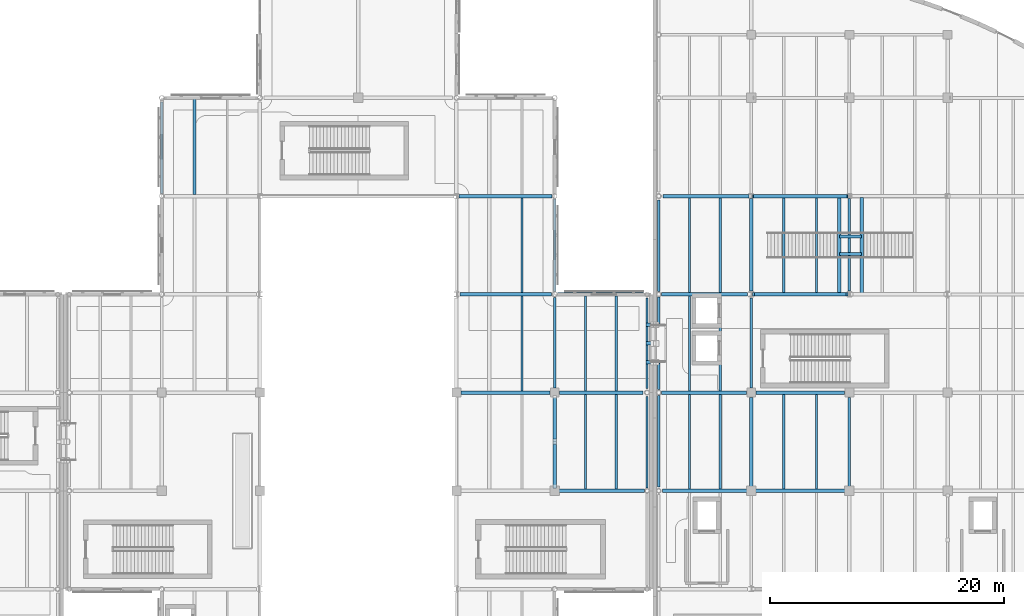
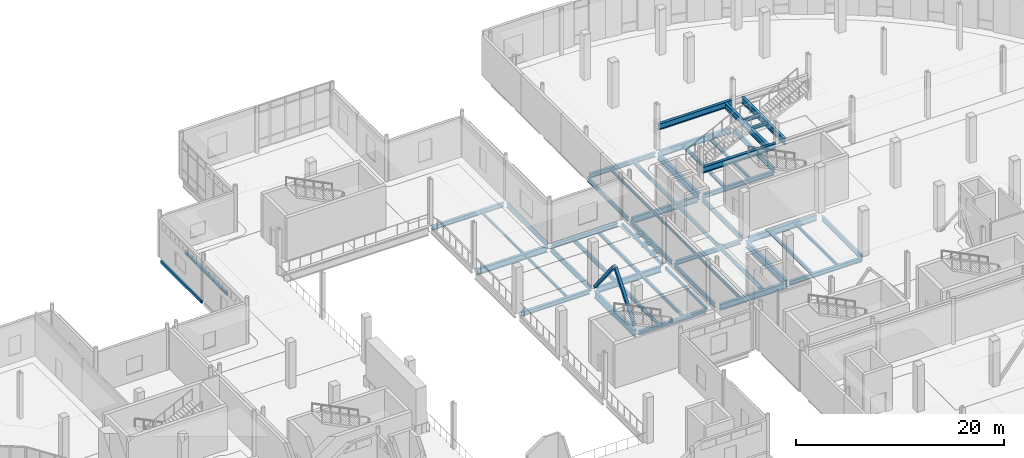
# One storey, part 28 of 110: 54 beams, 2 members.
"""IFC4 building model written with IfcOpenShell, lengths in metres."""

from ifc_helpers import new_model, si_unit, direction, frame, origin, origin_2d, place, context, subcontext, project, spatial, hollow_rectangle, i_section, extrude, material, material_profile, profile_set, type_object, element, save


model = new_model("IFC4")

# Units and contexts
model_context = context("Model", 3, precision=1e-05, world=origin(), true_north=direction((0.0, 1.0)))
body_context = subcontext(model_context, "Body", "Model", "MODEL_VIEW")
ifc_project = project(units=[si_unit("LENGTHUNIT", "METRE"), si_unit("AREAUNIT", "SQUARE_METRE"), si_unit("VOLUMEUNIT", "CUBIC_METRE"), si_unit("PLANEANGLEUNIT", "RADIAN"), si_unit("MASSUNIT", "GRAM", prefix="KILO"), si_unit("THERMODYNAMICTEMPERATUREUNIT", "KELVIN")], contexts=[model_context])

# Site, building, storey
site_placement = place(None, origin())
site = spatial("IfcSite", under=ifc_project, at=site_placement, CompositionType="ELEMENT")
building_placement = place(site_placement, origin())
building = spatial("IfcBuilding", under=site, at=building_placement, Name="Lustrewick Department Store", CompositionType="ELEMENT")
storey_placement = place(building_placement, frame((0.0, 0.0, 6.0)))
storey = spatial("IfcBuildingStorey", under=building, at=storey_placement, Name="L02", CompositionType="ELEMENT", Elevation=6.0)

# Beams
ifc_material_1 = material(Name="Structural steel Q355B", Category="steel")
ifc_material_profile_1 = material_profile(ifc_material_1, i_section(OverallWidth=0.198974609375, OverallDepth=0.49609375, WebThickness=0.009033203125, FlangeThickness=0.013916015625, FilletRadius=0.01611328125, at=origin_2d()), Name="HN 496x199x9x14")
ifc_profile_set_1 = profile_set([ifc_material_profile_1], Name="Structural steel Q355B")
beam_type_1 = type_object("IfcBeamType", Name="B02", PredefinedType="JOIST", material=ifc_profile_set_1)
beam_1_placement = place(storey_placement, frame((103.433349609375, 67.35009765625, -0.5029296875), z_axis=(0.0, 1.0, 0.0), x_axis=(-1.0, 0.0, 0.0)))
element("IfcBeam", 1, at=beam_1_placement, inside=storey, type_object=beam_type_1, Name="L02 V2 Secondary Joist B02", PredefinedType="JOIST", context=body_context, shape_type="SweptSolid", body=[
    extrude(i_section(OverallWidth=0.198974609375, OverallDepth=0.49609375, WebThickness=0.009033203125, FlangeThickness=0.013916015625, FilletRadius=0.01611328125, at=origin_2d()), origin(), (0.0, 0.0, 1.0), 8.099853515625),
])
beam_2_placement = place(storey_placement, frame((103.433349609375, 75.75, -0.5029296875), z_axis=(0.0, 1.0, 0.0), x_axis=(-1.0, 0.0, 0.0)))
element("IfcBeam", 2, at=beam_2_placement, inside=storey, type_object=beam_type_1, Name="L02 V2 Secondary Joist B02", PredefinedType="JOIST", context=body_context, shape_type="SweptSolid", body=[
    extrude(i_section(OverallWidth=0.198974609375, OverallDepth=0.49609375, WebThickness=0.009033203125, FlangeThickness=0.013916015625, FilletRadius=0.01611328125, at=origin_2d()), origin(), (0.0, 0.0, 1.0), 8.10009765625),
])
beam_3_placement = place(storey_placement, frame((114.966796875, 67.35009765625, -0.5029296875), z_axis=(0.0, 1.0, 0.0), x_axis=(-1.0, 0.0, 0.0)))
element("IfcBeam", 3, at=beam_3_placement, inside=storey, type_object=beam_type_1, Name="L02 V4 Secondary Joist B02", PredefinedType="JOIST", context=body_context, shape_type="SweptSolid", body=[
    extrude(i_section(OverallWidth=0.198974609375, OverallDepth=0.49609375, WebThickness=0.009033203125, FlangeThickness=0.013916015625, FilletRadius=0.01611328125, at=origin_2d()), origin(), (0.0, 0.0, 1.0), 8.099853515625),
])
for number, where, z_axis, x_axis, name in (
    (4, (114.966796875, 75.75, -0.5029296875), (0.0, 1.0, 0.0), (-1.0, 0.0, 0.0), "L02 V4 Secondary Joist B02"),
    (5, (114.966796875, 84.14990234375, -0.5029296875), (0.0, 1.0, 0.0), (-1.0, 0.0, 0.0), "L02 V4 Secondary Joist B02"),
):
    element("IfcBeam", number, at=place(storey_placement, frame(where, z_axis=z_axis, x_axis=x_axis)), inside=storey, type_object=beam_type_1, Name=name, PredefinedType="JOIST", context=body_context, shape_type="SweptSolid", body=[
        extrude(i_section(OverallWidth=0.198974609375, OverallDepth=0.49609375, WebThickness=0.009033203125, FlangeThickness=0.013916015625, FilletRadius=0.01611328125, at=origin_2d()), origin(), (0.0, 0.0, 1.0), 8.10009765625),
    ])
ifc_material_profile_2 = material_profile(ifc_material_1, i_section(OverallWidth=0.198974609375, OverallDepth=0.39599609375, WebThickness=0.007080078125, FlangeThickness=0.010986328125, FilletRadius=0.013916015625, at=origin_2d()), Name="HN 396x199x7x11")
ifc_profile_set_2 = profile_set([ifc_material_profile_2], Name="Structural steel Q355B")
beam_type_2 = type_object("IfcBeamType", Name="B06", PredefinedType="JOIST", material=ifc_profile_set_2)
beam_4_placement = place(storey_placement, frame((106.066650390625, 67.35009765625, -0.452880859375), z_axis=(0.0, 1.0, 0.0), x_axis=(-1.0, 0.0, 0.0)))
element("IfcBeam", 6, at=beam_4_placement, inside=storey, type_object=beam_type_2, Name="L02 V2 Secondary Joist B06", PredefinedType="JOIST", context=body_context, shape_type="SweptSolid", body=[
    extrude(i_section(OverallWidth=0.198974609375, OverallDepth=0.39599609375, WebThickness=0.007080078125, FlangeThickness=0.010986328125, FilletRadius=0.013916015625, at=origin_2d()), origin(), (0.0, 0.0, 1.0), 8.099853515625),
])
beam_5_placement = place(storey_placement, frame((106.066650390625, 75.75, -0.452880859375), z_axis=(0.0, 1.0, 0.0), x_axis=(-1.0, 0.0, 0.0)))
element("IfcBeam", 7, at=beam_5_placement, inside=storey, type_object=beam_type_2, Name="L02 V2 Secondary Joist B06", PredefinedType="JOIST", context=body_context, shape_type="SweptSolid", body=[
    extrude(i_section(OverallWidth=0.198974609375, OverallDepth=0.39599609375, WebThickness=0.007080078125, FlangeThickness=0.010986328125, FilletRadius=0.013916015625, at=origin_2d()), origin(), (0.0, 0.0, 1.0), 8.10009765625),
])
beam_6_placement = place(storey_placement, frame((120.39990234375, 67.35009765625, -0.452880859375), z_axis=(0.0, 1.0, 0.0), x_axis=(-1.0, 0.0, 0.0)))
element("IfcBeam", 8, at=beam_6_placement, inside=storey, type_object=beam_type_2, Name="L02 V4 Secondary Joist B06", PredefinedType="JOIST", context=body_context, shape_type="SweptSolid", body=[
    extrude(i_section(OverallWidth=0.198974609375, OverallDepth=0.39599609375, WebThickness=0.007080078125, FlangeThickness=0.010986328125, FilletRadius=0.013916015625, at=origin_2d()), origin(), (0.0, 0.0, 1.0), 8.099853515625),
])
beam_7_placement = place(storey_placement, frame((120.39990234375, 84.14990234375, -0.452880859375), z_axis=(0.0, 1.0, 0.0), x_axis=(-1.0, 0.0, 0.0)))
element("IfcBeam", 9, at=beam_7_placement, inside=storey, type_object=beam_type_2, Name="L02 V4 Secondary Joist B06", PredefinedType="JOIST", context=body_context, shape_type="SweptSolid", body=[
    extrude(i_section(OverallWidth=0.198974609375, OverallDepth=0.39599609375, WebThickness=0.007080078125, FlangeThickness=0.010986328125, FilletRadius=0.013916015625, at=origin_2d()), origin(), (0.0, 0.0, 1.0), 8.10009765625),
])
ifc_material_profile_3 = material_profile(ifc_material_1, i_section(OverallWidth=0.25, OverallDepth=0.340087890625, WebThickness=0.009033203125, FlangeThickness=0.013916015625, FilletRadius=0.01611328125, at=origin_2d()), Name="HM 340x250x9x14")
ifc_profile_set_3 = profile_set([ifc_material_profile_3], Name="Structural steel Q355B")
beam_type_3 = type_object("IfcBeamType", Name="B08", PredefinedType="JOIST", material=ifc_profile_set_3)
beam_8_placement = place(storey_placement, frame((70.0, 92.550048828125, -0.425048828125), z_axis=(0.0, 1.0, 0.0), x_axis=(-1.0, 0.0, 0.0)))
element("IfcBeam", 10, at=beam_8_placement, inside=storey, type_object=beam_type_3, Name="L02 V2 Secondary Joist B08", PredefinedType="JOIST", context=body_context, shape_type="SweptSolid", body=[
    extrude(i_section(OverallWidth=0.25, OverallDepth=0.340087890625, WebThickness=0.009033203125, FlangeThickness=0.013916015625, FilletRadius=0.01611328125, at=origin_2d()), origin(), (0.0, 0.0, 1.0), 8.175048828125),
])
for number, where, z_axis, x_axis, name in (
    (11, (125.14990234375, 87.449951171875, 2.780029296875), (1.0, 0.0, 0.0), (0.0, 1.0, 0.0), "L02 Feature Stair AST02 Landing Cross Beam 1"),
    (12, (125.14990234375, 88.949951171875, 2.780029296875), (1.0, 0.0, 0.0), (0.0, 1.0, 0.0), "L02 Feature Stair AST02 Landing Cross Beam 2"),
):
    element("IfcBeam", number, at=place(storey_placement, frame(where, z_axis=z_axis, x_axis=x_axis)), inside=storey, type_object=beam_type_3, Name=name, PredefinedType="JOIST", context=body_context, shape_type="SweptSolid", body=[
        extrude(i_section(OverallWidth=0.25, OverallDepth=0.340087890625, WebThickness=0.009033203125, FlangeThickness=0.013916015625, FilletRadius=0.01611328125, at=origin_2d()), origin(), (0.0, 0.0, 1.0), 1.900146484375),
    ])
ifc_material_profile_4 = material_profile(ifc_material_1, i_section(OverallWidth=0.174072265625, OverallDepth=0.345947265625, WebThickness=0.006103515625, FlangeThickness=0.009033203125, FilletRadius=0.012939453125, at=origin_2d()), Name="HN 346x174x6x9")
ifc_profile_set_4 = profile_set([ifc_material_profile_4], Name="Structural steel Q355B")
beam_type_4 = type_object("IfcBeamType", Name="B10", PredefinedType="JOIST", material=ifc_profile_set_4)
beam_9_placement = place(storey_placement, frame((123.199951171875, 67.35009765625, -0.427978515625), z_axis=(0.0, 1.0, 0.0), x_axis=(-1.0, 0.0, 0.0)))
element("IfcBeam", 13, at=beam_9_placement, inside=storey, type_object=beam_type_4, Name="L02 V4 Secondary Joist B10", PredefinedType="JOIST", context=body_context, shape_type="SweptSolid", body=[
    extrude(i_section(OverallWidth=0.174072265625, OverallDepth=0.345947265625, WebThickness=0.006103515625, FlangeThickness=0.009033203125, FilletRadius=0.012939453125, at=origin_2d()), origin(), (0.0, 0.0, 1.0), 8.099853515625),
])
beam_10_placement = place(storey_placement, frame((123.199951171875, 84.14990234375, -0.427978515625), z_axis=(0.0, 1.0, 0.0), x_axis=(-1.0, 0.0, 0.0)))
element("IfcBeam", 14, at=beam_10_placement, inside=storey, type_object=beam_type_4, Name="L02 V4 Secondary Joist B10", PredefinedType="JOIST", context=body_context, shape_type="SweptSolid", body=[
    extrude(i_section(OverallWidth=0.174072265625, OverallDepth=0.345947265625, WebThickness=0.006103515625, FlangeThickness=0.009033203125, FilletRadius=0.012939453125, at=origin_2d()), origin(), (0.0, 0.0, 1.0), 8.10009765625),
])
ifc_material_profile_5 = material_profile(ifc_material_1, i_section(OverallWidth=0.14990234375, OverallDepth=0.300048828125, WebThickness=0.006591796875, FlangeThickness=0.009033203125, FilletRadius=0.011962890625, at=origin_2d()), Name="HN 300x150x6.5x9")
ifc_profile_set_5 = profile_set([ifc_material_profile_5], Name="Structural steel Q355B")
beam_type_5 = type_object("IfcBeamType", Name="B11", PredefinedType="JOIST", material=ifc_profile_set_5)
for number, where, z_axis, x_axis, name in (
    (15, (98.0, 75.75, -0.405029296875), (0.0, 1.0, 0.0), (-1.0, 0.0, 0.0), "L02 V2 Secondary Joist B11"),
    (16, (98.0, 84.14990234375, -0.405029296875), (0.0, 1.0, 0.0), (-1.0, 0.0, 0.0), "L02 V2 Secondary Joist B11"),
):
    element("IfcBeam", number, at=place(storey_placement, frame(where, z_axis=z_axis, x_axis=x_axis)), inside=storey, type_object=beam_type_5, Name=name, PredefinedType="JOIST", context=body_context, shape_type="SweptSolid", body=[
        extrude(i_section(OverallWidth=0.14990234375, OverallDepth=0.300048828125, WebThickness=0.006591796875, FlangeThickness=0.009033203125, FilletRadius=0.011962890625, at=origin_2d()), origin(), (0.0, 0.0, 1.0), 8.10009765625),
    ])
beam_11_placement = place(storey_placement, frame((112.333251953125, 67.35009765625, -0.405029296875), z_axis=(0.0, 1.0, 0.0), x_axis=(-1.0, 0.0, 0.0)))
element("IfcBeam", 17, at=beam_11_placement, inside=storey, type_object=beam_type_5, Name="L02 V4 Secondary Joist B11", PredefinedType="JOIST", context=body_context, shape_type="SweptSolid", body=[
    extrude(i_section(OverallWidth=0.14990234375, OverallDepth=0.300048828125, WebThickness=0.006591796875, FlangeThickness=0.009033203125, FilletRadius=0.011962890625, at=origin_2d()), origin(), (0.0, 0.0, 1.0), 8.099853515625),
])
for number, where, z_axis, x_axis, name in (
    (18, (112.333251953125, 75.75, -0.405029296875), (0.0, 1.0, 0.0), (-1.0, 0.0, 0.0), "L02 V4 Secondary Joist B11"),
    (19, (112.333251953125, 84.14990234375, -0.405029296875), (0.0, 1.0, 0.0), (-1.0, 0.0, 0.0), "L02 V4 Secondary Joist B11"),
):
    element("IfcBeam", number, at=place(storey_placement, frame(where, z_axis=z_axis, x_axis=x_axis)), inside=storey, type_object=beam_type_5, Name=name, PredefinedType="JOIST", context=body_context, shape_type="SweptSolid", body=[
        extrude(i_section(OverallWidth=0.14990234375, OverallDepth=0.300048828125, WebThickness=0.006591796875, FlangeThickness=0.009033203125, FilletRadius=0.011962890625, at=origin_2d()), origin(), (0.0, 0.0, 1.0), 8.10009765625),
    ])

# Members
ifc_material_2 = material(Name="Structural steel Q355C", Category="steel")
ifc_material_profile_6 = material_profile(ifc_material_2, hollow_rectangle(XDim=0.300048828125, YDim=0.300048828125, WallThickness=0.011962890625, at=origin_2d()), Name="SHS 300x300x12")
ifc_profile_set_6 = profile_set([ifc_material_profile_6], Name="Structural steel Q355C")
member_type = type_object("IfcMemberType", Name="BR06", PredefinedType="BRACE", material=ifc_profile_set_6)
member_1_placement = place(storey_placement, frame((100.800048828125, 67.60009765625, 0.14990234375), z_axis=(0.0, 0.623044181837, 0.782186644912), x_axis=(-1.0, 0.0, 0.0)))
element("IfcMember", 20, at=member_1_placement, inside=storey, type_object=member_type, Name="L02 V2 Chevron Brace BR06", PredefinedType="BRACE", context=body_context, shape_type="SweptSolid", body=[
    extrude(hollow_rectangle(XDim=0.300048828125, YDim=0.300048828125, WallThickness=0.011962890625, at=origin_2d()), origin(), (0.0, 0.0, 1.0), 5.9384765625),
])
member_2_placement = place(storey_placement, frame((100.800048828125, 75.22509765625, 0.14990234375), z_axis=(0.0, -0.62562467383, 0.780124200045), x_axis=(1.0, 0.0, 0.0)))
element("IfcMember", 21, at=member_2_placement, inside=storey, type_object=member_type, Name="L02 V2 Chevron Brace BR06", PredefinedType="BRACE", context=body_context, shape_type="SweptSolid", body=[
    extrude(hollow_rectangle(XDim=0.300048828125, YDim=0.300048828125, WallThickness=0.011962890625, at=origin_2d()), origin(), (0.0, 0.0, 1.0), 5.9541015625),
])

# Beams
ifc_material_profile_7 = material_profile(ifc_material_1, i_section(OverallWidth=0.300048828125, OverallDepth=0.800048828125, WebThickness=0.013916015625, FlangeThickness=0.02587890625, FilletRadius=0.02197265625, at=origin_2d()), Name="HN 800x300x14x26")
ifc_profile_set_7 = profile_set([ifc_material_profile_7], Name="Structural steel Q355B")
beam_type_6 = type_object("IfcBeamType", Name="G05", PredefinedType="BEAM", material=ifc_profile_set_7)
for number, where, z_axis, x_axis, name in (
    (22, (100.800048828125, 67.39990234375, -0.655029296875), (0.0, 1.0, 0.0), (-1.0, 0.0, 0.0), "L02 V2 Girder G05"),
    (23, (117.60009765625, 67.39990234375, -0.655029296875), (0.0, 1.0, 0.0), (-1.0, 0.0, 0.0), "L02 V4 Girder G05"),
):
    element("IfcBeam", number, at=place(storey_placement, frame(where, z_axis=z_axis, x_axis=x_axis)), inside=storey, type_object=beam_type_6, Name=name, PredefinedType="BEAM", context=body_context, shape_type="SweptSolid", body=[
        extrude(i_section(OverallWidth=0.300048828125, OverallDepth=0.800048828125, WebThickness=0.013916015625, FlangeThickness=0.02587890625, FilletRadius=0.02197265625, at=origin_2d()), origin(), (0.0, 0.0, 1.0), 7.800048828125),
    ])
beam_12_placement = place(storey_placement, frame((117.60009765625, 84.300048828125, -0.655029296875), z_axis=(0.0, 1.0, 0.0), x_axis=(-1.0, 0.0, 0.0)))
element("IfcBeam", 24, at=beam_12_placement, inside=storey, type_object=beam_type_6, Name="L02 V4 Girder G05", PredefinedType="BEAM", context=body_context, shape_type="SweptSolid", body=[
    extrude(i_section(OverallWidth=0.300048828125, OverallDepth=0.800048828125, WebThickness=0.013916015625, FlangeThickness=0.02587890625, FilletRadius=0.02197265625, at=origin_2d()), origin(), (0.0, 0.0, 1.0), 7.89306640625),
])
ifc_material_profile_8 = material_profile(ifc_material_1, i_section(OverallWidth=0.300048828125, OverallDepth=0.699951171875, WebThickness=0.012939453125, FlangeThickness=0.02392578125, FilletRadius=0.02001953125, at=origin_2d()), Name="HN 700x300x13x24")
ifc_profile_set_8 = profile_set([ifc_material_profile_8], Name="Structural steel Q355B")
beam_type_7 = type_object("IfcBeamType", Name="G08", PredefinedType="BEAM", material=ifc_profile_set_8)
beam_13_placement = place(storey_placement, frame((101.199951171875, 75.60009765625, -0.60498046875), z_axis=(1.0, 0.0, 0.0), x_axis=(0.0, 1.0, 0.0)))
element("IfcBeam", 25, at=beam_13_placement, inside=storey, type_object=beam_type_7, Name="L02 V2 Girder G08", PredefinedType="BEAM", context=body_context, shape_type="SweptSolid", body=[
    extrude(i_section(OverallWidth=0.300048828125, OverallDepth=0.699951171875, WebThickness=0.012939453125, FlangeThickness=0.02392578125, FilletRadius=0.02001953125, at=origin_2d()), origin(), (0.0, 0.0, 1.0), 7.150146484375),
])
beam_14_placement = place(storey_placement, frame((92.699951171875, 84.0, -0.60498046875), z_axis=(1.0, 0.0, 0.0), x_axis=(0.0, 1.0, 0.0)))
element("IfcBeam", 26, at=beam_14_placement, inside=storey, type_object=beam_type_7, Name="L02 V2 Girder G08", PredefinedType="BEAM", context=body_context, shape_type="SweptSolid", body=[
    extrude(i_section(OverallWidth=0.300048828125, OverallDepth=0.699951171875, WebThickness=0.012939453125, FlangeThickness=0.02392578125, FilletRadius=0.02001953125, at=origin_2d()), origin(), (0.0, 0.0, 1.0), 7.845947265625),
])
beam_15_placement = place(storey_placement, frame((118.0, 75.60009765625, -0.60498046875), z_axis=(1.0, 0.0, 0.0), x_axis=(0.0, 1.0, 0.0)))
element("IfcBeam", 27, at=beam_15_placement, inside=storey, type_object=beam_type_7, Name="L02 V4 Girder G08", PredefinedType="BEAM", context=body_context, shape_type="SweptSolid", body=[
    extrude(i_section(OverallWidth=0.300048828125, OverallDepth=0.699951171875, WebThickness=0.012939453125, FlangeThickness=0.02392578125, FilletRadius=0.02001953125, at=origin_2d()), origin(), (0.0, 0.0, 1.0), 7.60009765625),
])
beam_16_placement = place(storey_placement, frame((117.802490234375, 92.39990234375, -0.60498046875), z_axis=(1.0, 0.0, 0.0), x_axis=(0.0, 1.0, 0.0)))
element("IfcBeam", 28, at=beam_16_placement, inside=storey, type_object=beam_type_7, Name="L02 V4 Girder G08", PredefinedType="BEAM", context=body_context, shape_type="SweptSolid", body=[
    extrude(i_section(OverallWidth=0.300048828125, OverallDepth=0.699951171875, WebThickness=0.012939453125, FlangeThickness=0.02392578125, FilletRadius=0.02001953125, at=origin_2d()), origin(), (0.0, 0.0, 1.0), 7.9951171875),
])
for number, where, z_axis, x_axis, name in (
    (29, (117.699951171875, 84.0, 2.60009765625), (1.0, 0.0, 0.0), (0.0, 1.0, 0.0), "L02 Feature Stair AST02 Stringer Girder EW1.1"),
    (30, (117.699951171875, 92.39990234375, 2.60009765625), (1.0, 0.0, 0.0), (0.0, 1.0, 0.0), "L02 Feature Stair AST02 Stringer Girder EW1.2"),
    (31, (125.14990234375, 84.10009765625, 2.60009765625), (0.0, 1.0, 0.0), (-1.0, 0.0, 0.0), "L02 Feature Stair AST02 Landing Trimmer NS1"),
    (32, (127.050048828125, 84.10009765625, 2.60009765625), (0.0, 1.0, 0.0), (-1.0, 0.0, 0.0), "L02 Feature Stair AST02 Landing Trimmer NS2"),
):
    element("IfcBeam", number, at=place(storey_placement, frame(where, z_axis=z_axis, x_axis=x_axis)), inside=storey, type_object=beam_type_7, Name=name, PredefinedType="BEAM", context=body_context, shape_type="SweptSolid", body=[
        extrude(i_section(OverallWidth=0.300048828125, OverallDepth=0.699951171875, WebThickness=0.012939453125, FlangeThickness=0.02392578125, FilletRadius=0.02001953125, at=origin_2d()), origin(), (0.0, 0.0, 1.0), 8.199951171875),
    ])
ifc_material_profile_9 = material_profile(ifc_material_1, i_section(OverallWidth=0.300048828125, OverallDepth=0.69189453125, WebThickness=0.012939453125, FlangeThickness=0.02001953125, FilletRadius=0.02001953125, at=origin_2d()), Name="HN 692x300x13x20")
ifc_profile_set_9 = profile_set([ifc_material_profile_9], Name="Structural steel Q355B")
beam_type_8 = type_object("IfcBeamType", Name="G09", PredefinedType="BEAM", material=ifc_profile_set_9)
beam_17_placement = place(storey_placement, frame((110.02490234375, 67.199951171875, -0.60107421875), z_axis=(1.0, 0.0, 0.0), x_axis=(0.0, 1.0, 0.0)))
element("IfcBeam", 33, at=beam_17_placement, inside=storey, type_object=beam_type_8, Name="L02 V4 Girder G09", PredefinedType="BEAM", context=body_context, shape_type="SweptSolid", body=[
    extrude(i_section(OverallWidth=0.300048828125, OverallDepth=0.69189453125, WebThickness=0.012939453125, FlangeThickness=0.02001953125, FilletRadius=0.02001953125, at=origin_2d()), origin(), (0.0, 0.0, 1.0), 7.375),
])
beam_18_placement = place(storey_placement, frame((109.928466796875, 84.0, -0.60107421875), z_axis=(1.0, 0.0, 0.0), x_axis=(0.0, 1.0, 0.0)))
element("IfcBeam", 34, at=beam_18_placement, inside=storey, type_object=beam_type_8, Name="L02 V4 Girder G09", PredefinedType="BEAM", context=body_context, shape_type="SweptSolid", body=[
    extrude(i_section(OverallWidth=0.300048828125, OverallDepth=0.69189453125, WebThickness=0.012939453125, FlangeThickness=0.02001953125, FilletRadius=0.02001953125, at=origin_2d()), origin(), (0.0, 0.0, 1.0), 7.37158203125),
])
ifc_material_profile_10 = material_profile(ifc_material_1, i_section(OverallWidth=0.200927734375, OverallDepth=0.60595703125, WebThickness=0.011962890625, FlangeThickness=0.02001953125, FilletRadius=0.01806640625, at=origin_2d()), Name="HN 606x201x12x20")
ifc_profile_set_10 = profile_set([ifc_material_profile_10], Name="Structural steel Q355B")
beam_type_9 = type_object("IfcBeamType", Name="G13", PredefinedType="BEAM", material=ifc_profile_set_10)
beam_19_placement = place(storey_placement, frame((100.800048828125, 76.0, -0.55810546875), z_axis=(0.0, 1.0, 0.0), x_axis=(-1.0, 0.0, 0.0)))
element("IfcBeam", 35, at=beam_19_placement, inside=storey, type_object=beam_type_9, Name="L02 V2 Girder G13", PredefinedType="BEAM", context=body_context, shape_type="SweptSolid", body=[
    extrude(i_section(OverallWidth=0.200927734375, OverallDepth=0.60595703125, WebThickness=0.011962890625, FlangeThickness=0.02001953125, FilletRadius=0.01806640625, at=origin_2d()), origin(), (0.0, 0.0, 1.0), 7.74609375),
])
beam_20_placement = place(storey_placement, frame((117.60009765625, 76.0, -0.55810546875), z_axis=(0.0, 1.0, 0.0), x_axis=(-1.0, 0.0, 0.0)))
element("IfcBeam", 36, at=beam_20_placement, inside=storey, type_object=beam_type_9, Name="L02 V4 Girder G13", PredefinedType="BEAM", context=body_context, shape_type="SweptSolid", body=[
    extrude(i_section(OverallWidth=0.200927734375, OverallDepth=0.60595703125, WebThickness=0.011962890625, FlangeThickness=0.02001953125, FilletRadius=0.01806640625, at=origin_2d()), origin(), (0.0, 0.0, 1.0), 7.699951171875),
])
beam_21_placement = place(storey_placement, frame((126.0, 67.39990234375, -0.55810546875), z_axis=(0.0, 1.0, 0.0), x_axis=(-1.0, 0.0, 0.0)))
element("IfcBeam", 37, at=beam_21_placement, inside=storey, type_object=beam_type_9, Name="L02 V4 Girder G13", PredefinedType="BEAM", context=body_context, shape_type="SweptSolid", body=[
    extrude(i_section(OverallWidth=0.200927734375, OverallDepth=0.60595703125, WebThickness=0.011962890625, FlangeThickness=0.02001953125, FilletRadius=0.01806640625, at=origin_2d()), origin(), (0.0, 0.0, 1.0), 7.800048828125),
])
beam_22_placement = place(storey_placement, frame((126.0, 84.300048828125, -0.55810546875), z_axis=(0.0, 1.0, 0.0), x_axis=(-1.0, 0.0, 0.0)))
element("IfcBeam", 38, at=beam_22_placement, inside=storey, type_object=beam_type_9, Name="L02 V4 Girder G13", PredefinedType="BEAM", context=body_context, shape_type="SweptSolid", body=[
    extrude(i_section(OverallWidth=0.200927734375, OverallDepth=0.60595703125, WebThickness=0.011962890625, FlangeThickness=0.02001953125, FilletRadius=0.01806640625, at=origin_2d()), origin(), (0.0, 0.0, 1.0), 7.89306640625),
])
ifc_material_profile_11 = material_profile(ifc_material_1, i_section(OverallWidth=0.300048828125, OverallDepth=0.488037109375, WebThickness=0.010986328125, FlangeThickness=0.01806640625, FilletRadius=0.02197265625, at=origin_2d()), Name="HM 488x300x11x18")
ifc_profile_set_11 = profile_set([ifc_material_profile_11], Name="Structural steel Q355B")
beam_type_10 = type_object("IfcBeamType", Name="G16", PredefinedType="BEAM", material=ifc_profile_set_11)
for number, where, z_axis, x_axis, name in (
    (39, (108.60009765625, 78.199951171875, -0.4990234375), (1.0, 0.0, 0.0), (0.0, 1.0, 0.0), "L02 Skybridge SB24 Girder 1"),
    (40, (108.60009765625, 81.39990234375, -0.4990234375), (1.0, 0.0, 0.0), (0.0, 1.0, 0.0), "L02 Skybridge SB24 Girder 2"),
    (41, (108.60009765625, 79.800048828125, -0.4990234375), (1.0, 0.0, 0.0), (0.0, 1.0, 0.0), "L02 Skybridge SB24 Girder 3"),
):
    element("IfcBeam", number, at=place(storey_placement, frame(where, z_axis=z_axis, x_axis=x_axis)), inside=storey, type_object=beam_type_10, Name=name, PredefinedType="BEAM", context=body_context, shape_type="SweptSolid", body=[
        extrude(i_section(OverallWidth=0.300048828125, OverallDepth=0.488037109375, WebThickness=0.010986328125, FlangeThickness=0.01806640625, FilletRadius=0.02197265625, at=origin_2d()), origin(), (0.0, 0.0, 1.0), 1.139892578125),
    ])
ifc_material_profile_12 = material_profile(ifc_material_1, i_section(OverallWidth=0.300048828125, OverallDepth=0.48193359375, WebThickness=0.010986328125, FlangeThickness=0.014892578125, FilletRadius=0.02197265625, at=origin_2d()), Name="HM 482x300x11x15")
ifc_profile_set_12 = profile_set([ifc_material_profile_12], Name="Structural steel Q355B")
beam_type_11 = type_object("IfcBeamType", Name="G20", PredefinedType="BEAM", material=ifc_profile_set_12)
beam_23_placement = place(storey_placement, frame((101.0, 67.199951171875, -0.49609375), z_axis=(1.0, 0.0, 0.0), x_axis=(0.0, 1.0, 0.0)))
element("IfcBeam", 42, at=beam_23_placement, inside=storey, type_object=beam_type_11, Name="L02 V2 Girder G20", PredefinedType="BEAM", context=body_context, shape_type="SweptSolid", body=[
    extrude(i_section(OverallWidth=0.300048828125, OverallDepth=0.48193359375, WebThickness=0.010986328125, FlangeThickness=0.014892578125, FilletRadius=0.02197265625, at=origin_2d()), origin(), (0.0, 0.0, 1.0), 7.471435546875),
])
beam_24_placement = place(storey_placement, frame((92.800048828125, 75.60009765625, -0.49609375), z_axis=(1.0, 0.0, 0.0), x_axis=(0.0, 1.0, 0.0)))
element("IfcBeam", 43, at=beam_24_placement, inside=storey, type_object=beam_type_11, Name="L02 V2 Girder G20", PredefinedType="BEAM", context=body_context, shape_type="SweptSolid", body=[
    extrude(i_section(OverallWidth=0.300048828125, OverallDepth=0.48193359375, WebThickness=0.010986328125, FlangeThickness=0.014892578125, FilletRadius=0.02197265625, at=origin_2d()), origin(), (0.0, 0.0, 1.0), 7.599853515625),
])
beam_25_placement = place(storey_placement, frame((92.6025390625, 92.39990234375, -0.49609375), z_axis=(1.0, 0.0, 0.0), x_axis=(0.0, 1.0, 0.0)))
element("IfcBeam", 44, at=beam_25_placement, inside=storey, type_object=beam_type_11, Name="L02 V2 Girder G20", PredefinedType="BEAM", context=body_context, shape_type="SweptSolid", body=[
    extrude(i_section(OverallWidth=0.300048828125, OverallDepth=0.48193359375, WebThickness=0.010986328125, FlangeThickness=0.014892578125, FilletRadius=0.02197265625, at=origin_2d()), origin(), (0.0, 0.0, 1.0), 7.968994140625),
])
beam_26_placement = place(storey_placement, frame((117.800048828125, 67.199951171875, -0.49609375), z_axis=(1.0, 0.0, 0.0), x_axis=(0.0, 1.0, 0.0)))
element("IfcBeam", 45, at=beam_26_placement, inside=storey, type_object=beam_type_11, Name="L02 V4 Girder G20", PredefinedType="BEAM", context=body_context, shape_type="SweptSolid", body=[
    extrude(i_section(OverallWidth=0.300048828125, OverallDepth=0.48193359375, WebThickness=0.010986328125, FlangeThickness=0.014892578125, FilletRadius=0.02197265625, at=origin_2d()), origin(), (0.0, 0.0, 1.0), 8.0),
])
beam_27_placement = place(storey_placement, frame((109.9541015625, 75.60009765625, -0.49609375), z_axis=(1.0, 0.0, 0.0), x_axis=(0.0, 1.0, 0.0)))
element("IfcBeam", 46, at=beam_27_placement, inside=storey, type_object=beam_type_11, Name="L02 V4 Girder G20", PredefinedType="BEAM", context=body_context, shape_type="SweptSolid", body=[
    extrude(i_section(OverallWidth=0.300048828125, OverallDepth=0.48193359375, WebThickness=0.010986328125, FlangeThickness=0.014892578125, FilletRadius=0.02197265625, at=origin_2d()), origin(), (0.0, 0.0, 1.0), 7.245849609375),
])
beam_28_placement = place(storey_placement, frame((117.89990234375, 84.0, -0.49609375), z_axis=(1.0, 0.0, 0.0), x_axis=(0.0, 1.0, 0.0)))
element("IfcBeam", 47, at=beam_28_placement, inside=storey, type_object=beam_type_11, Name="L02 V4 Girder G20", PredefinedType="BEAM", context=body_context, shape_type="SweptSolid", body=[
    extrude(i_section(OverallWidth=0.300048828125, OverallDepth=0.48193359375, WebThickness=0.010986328125, FlangeThickness=0.014892578125, FilletRadius=0.02197265625, at=origin_2d()), origin(), (0.0, 0.0, 1.0), 7.800048828125),
])
beam_29_placement = place(storey_placement, frame((110.050048828125, 92.39990234375, -0.49609375), z_axis=(1.0, 0.0, 0.0), x_axis=(0.0, 1.0, 0.0)))
element("IfcBeam", 48, at=beam_29_placement, inside=storey, type_object=beam_type_11, Name="L02 V4 Girder G20", PredefinedType="BEAM", context=body_context, shape_type="SweptSolid", body=[
    extrude(i_section(OverallWidth=0.300048828125, OverallDepth=0.48193359375, WebThickness=0.010986328125, FlangeThickness=0.014892578125, FilletRadius=0.02197265625, at=origin_2d()), origin(), (0.0, 0.0, 1.0), 7.347412109375),
])
ifc_material_profile_13 = material_profile(ifc_material_1, i_section(OverallWidth=0.200927734375, OverallDepth=0.506103515625, WebThickness=0.010986328125, FlangeThickness=0.01904296875, FilletRadius=0.01611328125, at=origin_2d()), Name="HN 506x201x11x19")
ifc_profile_set_13 = profile_set([ifc_material_profile_13], Name="Structural steel Q355B")
beam_type_12 = type_object("IfcBeamType", Name="SP01", PredefinedType="SPANDREL", material=ifc_profile_set_13)
beam_30_placement = place(storey_placement, frame((100.800048828125, 84.25390625, -0.508056640625), z_axis=(0.0, 1.0, 0.0), x_axis=(-1.0, 0.0, 0.0)))
element("IfcBeam", 49, at=beam_30_placement, inside=storey, type_object=beam_type_12, Name="L02 V2 Girder SP01", PredefinedType="SPANDREL", context=body_context, shape_type="SweptSolid", body=[
    extrude(i_section(OverallWidth=0.200927734375, OverallDepth=0.506103515625, WebThickness=0.010986328125, FlangeThickness=0.01904296875, FilletRadius=0.01611328125, at=origin_2d()), origin(), (0.0, 0.0, 1.0), 7.91748046875),
])
beam_31_placement = place(storey_placement, frame((109.699951171875, 67.52490234375, -0.508056640625), z_axis=(0.0, 1.0, 0.0), x_axis=(-1.0, 0.0, 0.0)))
element("IfcBeam", 50, at=beam_31_placement, inside=storey, type_object=beam_type_12, Name="L02 V4 Girder SP01", PredefinedType="SPANDREL", context=body_context, shape_type="SweptSolid", body=[
    extrude(i_section(OverallWidth=0.200927734375, OverallDepth=0.506103515625, WebThickness=0.010986328125, FlangeThickness=0.01904296875, FilletRadius=0.01611328125, at=origin_2d()), origin(), (0.0, 0.0, 1.0), 7.821044921875),
])
beam_32_placement = place(storey_placement, frame((109.699951171875, 75.85400390625, -0.508056640625), z_axis=(0.0, 1.0, 0.0), x_axis=(-1.0, 0.0, 0.0)))
element("IfcBeam", 51, at=beam_32_placement, inside=storey, type_object=beam_type_12, Name="L02 V4 Girder SP01", PredefinedType="SPANDREL", context=body_context, shape_type="SweptSolid", body=[
    extrude(i_section(OverallWidth=0.200927734375, OverallDepth=0.506103515625, WebThickness=0.010986328125, FlangeThickness=0.01904296875, FilletRadius=0.01611328125, at=origin_2d()), origin(), (0.0, 0.0, 1.0), 7.91748046875),
])
beam_33_placement = place(storey_placement, frame((109.699951171875, 84.228515625, -0.508056640625), z_axis=(0.0, 1.0, 0.0), x_axis=(-1.0, 0.0, 0.0)))
element("IfcBeam", 52, at=beam_33_placement, inside=storey, type_object=beam_type_12, Name="L02 V4 Girder SP01", PredefinedType="SPANDREL", context=body_context, shape_type="SweptSolid", body=[
    extrude(i_section(OverallWidth=0.200927734375, OverallDepth=0.506103515625, WebThickness=0.010986328125, FlangeThickness=0.01904296875, FilletRadius=0.01611328125, at=origin_2d()), origin(), (0.0, 0.0, 1.0), 7.821533203125),
])
ifc_material_profile_14 = material_profile(ifc_material_1, i_section(OverallWidth=0.300048828125, OverallDepth=0.43994140625, WebThickness=0.010986328125, FlangeThickness=0.01806640625, FilletRadius=0.02001953125, at=origin_2d()), Name="HM 440x300x11x18")
ifc_profile_set_14 = profile_set([ifc_material_profile_14], Name="Structural steel Q355B")
beam_type_13 = type_object("IfcBeamType", Name="SP02", PredefinedType="SPANDREL", material=ifc_profile_set_14)
beam_34_placement = place(storey_placement, frame((101.053955078125, 84.0, -0.47509765625), z_axis=(1.0, 0.0, 0.0), x_axis=(0.0, 1.0, 0.0)))
element("IfcBeam", 53, at=beam_34_placement, inside=storey, type_object=beam_type_13, Name="L02 V2 Girder SP02", PredefinedType="SPANDREL", context=body_context, shape_type="SweptSolid", body=[
    extrude(i_section(OverallWidth=0.300048828125, OverallDepth=0.43994140625, WebThickness=0.010986328125, FlangeThickness=0.01806640625, FilletRadius=0.02001953125, at=origin_2d()), origin(), (0.0, 0.0, 1.0), 7.321044921875),
])
ifc_material_profile_15 = material_profile(ifc_material_2, hollow_rectangle(XDim=0.199951171875, YDim=0.35009765625, WallThickness=0.011962890625, at=origin_2d()), Name="RHS 350x200x12")
ifc_profile_set_15 = profile_set([ifc_material_profile_15], Name="Structural steel Q355C")
beam_type_14 = type_object("IfcBeamType", Name="SP03", PredefinedType="SPANDREL", material=ifc_profile_set_15)
for number, where, z_axis, x_axis, name in (
    (54, (67.199951171875, 92.62841796875, -0.429931640625), (0.0, 1.0, 0.0), (-1.0, 0.0, 0.0), "L02 V2 Girder SP03"),
    (55, (108.699951171875, 67.428466796875, -0.429931640625), (0.0, 1.0, 0.0), (-1.0, 0.0, 0.0), "L02 V2 Girder SP03"),
):
    element("IfcBeam", number, at=place(storey_placement, frame(where, z_axis=z_axis, x_axis=x_axis)), inside=storey, type_object=beam_type_14, Name=name, PredefinedType="SPANDREL", context=body_context, shape_type="SweptSolid", body=[
        extrude(hollow_rectangle(XDim=0.199951171875, YDim=0.35009765625, WallThickness=0.011962890625, at=origin_2d()), origin(), (0.0, 0.0, 1.0), 7.821533203125),
    ])
beam_35_placement = place(storey_placement, frame((108.699951171875, 75.949951171875, -0.429931640625), z_axis=(0.0, 1.0, 0.0), x_axis=(-1.0, 0.0, 0.0)))
element("IfcBeam", 56, at=beam_35_placement, inside=storey, type_object=beam_type_14, Name="L02 V2 Girder SP03", PredefinedType="SPANDREL", context=body_context, shape_type="SweptSolid", body=[
    extrude(hollow_rectangle(XDim=0.199951171875, YDim=0.35009765625, WallThickness=0.011962890625, at=origin_2d()), origin(), (0.0, 0.0, 1.0), 7.72509765625),
])

save(model, "model.ifc")
